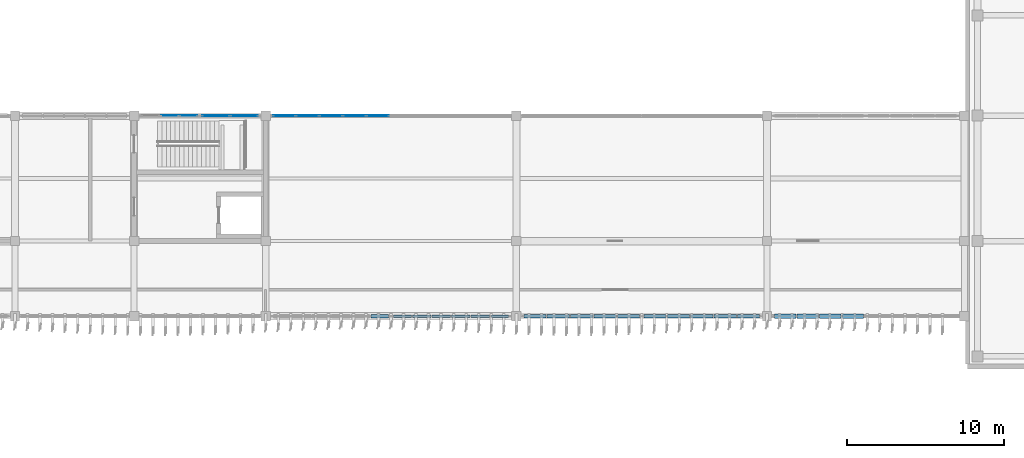
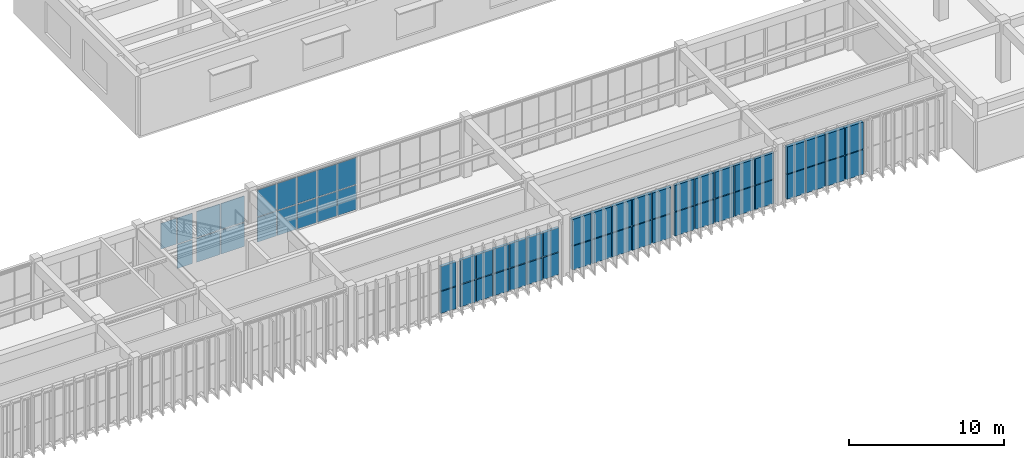
# One storey, part 32 of 64: 59 plates, 8 elements without a shape of their own.
"""IFC4 building model written with IfcOpenShell, lengths in metres."""

from ifc_helpers import new_model, si_unit, direction, frame, origin, origin_2d, place, context, subcontext, project, spatial, rectangle, extrude, material, layer, layer_set, type_object, element, aggregate, save


model = new_model("IFC4")

# Units and contexts
model_context = context("Model", 3, precision=1e-05, world=origin(), true_north=direction((0.0, 1.0)))
body_context = subcontext(model_context, "Body", "Model", "MODEL_VIEW")
ifc_project = project(units=[si_unit("LENGTHUNIT", "METRE"), si_unit("AREAUNIT", "SQUARE_METRE"), si_unit("VOLUMEUNIT", "CUBIC_METRE"), si_unit("PLANEANGLEUNIT", "RADIAN"), si_unit("MASSUNIT", "GRAM", prefix="KILO")], contexts=[model_context])

# Site, building, storey
site_placement = place(None, origin())
site = spatial("IfcSite", under=ifc_project, at=site_placement, CompositionType="ELEMENT")
building_placement = place(site_placement, origin())
building = spatial("IfcBuilding", under=site, at=building_placement, Name="Cinchona Park Media Centre", CompositionType="ELEMENT")
storey_placement = place(building_placement, frame((0.0, 0.0, 5.39990234375)))
storey = spatial("IfcBuildingStorey", under=building, at=storey_placement, Name="L01", CompositionType="ELEMENT", Elevation=5.39990234375)

# Curtain wall, plates
ifc_material_1 = material(Name="Aluminium Curtain Wall Framing", Category="aluminium")
ifc_layer_1 = layer(ifc_material_1, 0.2548828125)
ifc_layer_set_1 = layer_set([ifc_layer_1], Name="Aluminium Curtain Wall Framing")
curtain_wall_type_1 = type_object("IfcCurtainWallType", Name="CW-CW06", PredefinedType="USERDEFINED", material=ifc_layer_set_1)
curtain_wall_1_placement = place(storey_placement, origin())
curtain_wall_1 = element("IfcCurtainWall", 1, at=curtain_wall_1_placement, inside=storey, type_object=curtain_wall_type_1, Name="Curtain Wall CW06 L01", ObjectType="UNITISED CURTAIN WALL", PredefinedType="USERDEFINED")
ifc_material_2 = material(Name="Laminated Solar-Control Double Glazing", Category="glass")
ifc_layer_2 = layer(ifc_material_2, 0.030029296875)
ifc_layer_set_2 = layer_set([ifc_layer_2], Name="Laminated Solar-Control Double Glazing")
plate_type_1 = type_object("IfcPlateType", Name="CWPANEL-PNL02", PredefinedType="CURTAIN_PANEL", material=ifc_layer_set_2)
plate_1_placement = place(storey_placement, frame((88.669921875, 87.60009765625, 2.06884765625), z_axis=(0.0, 0.0, 1.0), x_axis=(1.0, 0.0, 0.0)))
plate_1 = element("IfcPlate", 2, at=plate_1_placement, type_object=plate_type_1, Name="CW06 panel 2.2", PredefinedType="CURTAIN_PANEL", context=body_context, shape_type="SweptSolid", body=[
    extrude(rectangle(XDim=1.158447265625, YDim=0.030029296875, at=origin_2d()), origin(), (0.0, 0.0, 1.0), 2.033447265625),
])
plate_2_placement = place(storey_placement, frame((89.884521484375, 87.60009765625, 0.125), z_axis=(0.0, 0.0, 1.0), x_axis=(1.0, 0.0, 0.0)))
plate_2 = element("IfcPlate", 3, at=plate_2_placement, type_object=plate_type_1, Name="CW06 panel 3.1", PredefinedType="CURTAIN_PANEL", context=body_context, shape_type="SweptSolid", body=[
    extrude(rectangle(XDim=1.120849609375, YDim=0.030029296875, at=origin_2d()), origin(), (0.0, 0.0, 1.0), 1.868408203125),
])
plate_3_placement = place(storey_placement, frame((89.884521484375, 87.60009765625, 2.06884765625), z_axis=(0.0, 0.0, 1.0), x_axis=(1.0, 0.0, 0.0)))
plate_3 = element("IfcPlate", 4, at=plate_3_placement, type_object=plate_type_1, Name="CW06 panel 3.2", PredefinedType="CURTAIN_PANEL", context=body_context, shape_type="SweptSolid", body=[
    extrude(rectangle(XDim=1.120849609375, YDim=0.030029296875, at=origin_2d()), origin(), (0.0, 0.0, 1.0), 2.033447265625),
])
aggregate(curtain_wall_1, [plate_1, plate_2, plate_3])

ifc_material_3 = material(Name="Aluminium Curtain Wall Framing", Category="aluminium")
ifc_layer_3 = layer(ifc_material_3, 0.27001953125)
ifc_layer_set_3 = layer_set([ifc_layer_3], Name="Aluminium Curtain Wall Framing")
curtain_wall_type_2 = type_object("IfcCurtainWallType", Name="CW-CW07", PredefinedType="USERDEFINED", material=ifc_layer_set_3)
curtain_wall_2_placement = place(storey_placement, origin())
curtain_wall_2 = element("IfcCurtainWall", 5, at=curtain_wall_2_placement, inside=storey, type_object=curtain_wall_type_2, Name="Curtain Wall CW07 L01", ObjectType="UNITISED CURTAIN WALL", PredefinedType="USERDEFINED")
ifc_material_4 = material(Name="Laminated Solar-Control Double Glazing", Category="glass")
ifc_layer_4 = layer(ifc_material_4, 0.050048828125)
ifc_layer_set_4 = layer_set([ifc_layer_4], Name="Laminated Solar-Control Double Glazing")
plate_type_2 = type_object("IfcPlateType", Name="CWPANEL-PNL04", PredefinedType="CURTAIN_PANEL", material=ifc_layer_set_4)
plate_4_placement = place(storey_placement, frame((91.623779296875, 87.60009765625, 0.125), z_axis=(0.0, 0.0, 1.0), x_axis=(1.0, 0.0, 0.0)))
plate_4 = element("IfcPlate", 6, at=plate_4_placement, type_object=plate_type_2, Name="CW07 panel 1.1", PredefinedType="CURTAIN_PANEL", context=body_context, shape_type="SweptSolid", body=[
    extrude(rectangle(XDim=1.737548828125, YDim=0.050048828125, at=origin_2d()), origin(), (0.0, 0.0, 1.0), 1.868408203125),
])
plate_5_placement = place(storey_placement, frame((91.623779296875, 87.60009765625, 2.06884765625), z_axis=(0.0, 0.0, 1.0), x_axis=(1.0, 0.0, 0.0)))
plate_5 = element("IfcPlate", 7, at=plate_5_placement, type_object=plate_type_2, Name="CW07 panel 1.2", PredefinedType="CURTAIN_PANEL", context=body_context, shape_type="SweptSolid", body=[
    extrude(rectangle(XDim=1.737548828125, YDim=0.050048828125, at=origin_2d()), origin(), (0.0, 0.0, 1.0), 2.033447265625),
])
plate_6_placement = place(storey_placement, frame((93.436279296875, 87.60009765625, 0.125), z_axis=(0.0, 0.0, 1.0), x_axis=(1.0, 0.0, 0.0)))
plate_6 = element("IfcPlate", 8, at=plate_6_placement, type_object=plate_type_2, Name="CW07 panel 2.1", PredefinedType="CURTAIN_PANEL", context=body_context, shape_type="SweptSolid", body=[
    extrude(rectangle(XDim=1.737548828125, YDim=0.050048828125, at=origin_2d()), origin(), (0.0, 0.0, 1.0), 1.868408203125),
])
plate_7_placement = place(storey_placement, frame((93.436279296875, 87.60009765625, 2.06884765625), z_axis=(0.0, 0.0, 1.0), x_axis=(1.0, 0.0, 0.0)))
plate_7 = element("IfcPlate", 9, at=plate_7_placement, type_object=plate_type_2, Name="CW07 panel 2.2", PredefinedType="CURTAIN_PANEL", context=body_context, shape_type="SweptSolid", body=[
    extrude(rectangle(XDim=1.737548828125, YDim=0.050048828125, at=origin_2d()), origin(), (0.0, 0.0, 1.0), 2.033447265625),
])
aggregate(curtain_wall_2, [plate_4, plate_5, plate_6, plate_7])

ifc_material_5 = material(Name="Aluminium Curtain Wall Framing", Category="aluminium")
ifc_layer_5 = layer(ifc_material_5, 0.284912109375)
ifc_layer_set_5 = layer_set([ifc_layer_5], Name="Aluminium Curtain Wall Framing")
curtain_wall_type_3 = type_object("IfcCurtainWallType", Name="CW-CW08", PredefinedType="USERDEFINED", material=ifc_layer_set_5)
curtain_wall_3_placement = place(storey_placement, origin())
curtain_wall_3 = element("IfcCurtainWall", 10, at=curtain_wall_3_placement, inside=storey, type_object=curtain_wall_type_3, Name="Curtain Wall CW08 L01", ObjectType="UNITISED CURTAIN WALL", PredefinedType="USERDEFINED")
ifc_material_6 = material(Name="Laminated Solar-Control Double Glazing", Category="glass")
ifc_layer_6 = layer(ifc_material_6, 0.06005859375)
ifc_layer_set_6 = layer_set([ifc_layer_6], Name="Laminated Solar-Control Double Glazing")
plate_type_3 = type_object("IfcPlateType", Name="CWPANEL-PNL05", PredefinedType="CURTAIN_PANEL", material=ifc_layer_set_6)
plate_8_placement = place(storey_placement, frame((95.987548828125, 87.60009765625, 0.1201171875), z_axis=(0.0, 0.0, 1.0), x_axis=(1.0, 0.0, 0.0)))
plate_8 = element("IfcPlate", 11, at=plate_8_placement, type_object=plate_type_3, Name="CW08 panel 1.1", PredefinedType="CURTAIN_PANEL", context=body_context, shape_type="SweptSolid", body=[
    extrude(rectangle(XDim=1.39501953125, YDim=0.06005859375, at=origin_2d()), origin(), (0.0, 0.0, 1.0), 1.928955078125),
])
plate_9_placement = place(storey_placement, frame((95.987548828125, 87.60009765625, 2.119140625), z_axis=(0.0, 0.0, 1.0), x_axis=(1.0, 0.0, 0.0)))
plate_9 = element("IfcPlate", 12, at=plate_9_placement, type_object=plate_type_3, Name="CW08 panel 1.2", PredefinedType="CURTAIN_PANEL", context=body_context, shape_type="SweptSolid", body=[
    extrude(rectangle(XDim=1.39501953125, YDim=0.06005859375, at=origin_2d()), origin(), (0.0, 0.0, 1.0), 2.09912109375),
])
plate_10_placement = place(storey_placement, frame((97.469970703125, 87.60009765625, 0.1201171875), z_axis=(0.0, 0.0, 1.0), x_axis=(1.0, 0.0, 0.0)))
plate_10 = element("IfcPlate", 13, at=plate_10_placement, type_object=plate_type_3, Name="CW08 panel 2.1", PredefinedType="CURTAIN_PANEL", context=body_context, shape_type="SweptSolid", body=[
    extrude(rectangle(XDim=1.429931640625, YDim=0.06005859375, at=origin_2d()), origin(), (0.0, 0.0, 1.0), 1.928955078125),
])
plate_11_placement = place(storey_placement, frame((97.469970703125, 87.60009765625, 2.119140625), z_axis=(0.0, 0.0, 1.0), x_axis=(1.0, 0.0, 0.0)))
plate_11 = element("IfcPlate", 14, at=plate_11_placement, type_object=plate_type_3, Name="CW08 panel 2.2", PredefinedType="CURTAIN_PANEL", context=body_context, shape_type="SweptSolid", body=[
    extrude(rectangle(XDim=1.429931640625, YDim=0.06005859375, at=origin_2d()), origin(), (0.0, 0.0, 1.0), 2.09912109375),
])
plate_12_placement = place(storey_placement, frame((98.969970703125, 87.60009765625, 0.1201171875), z_axis=(0.0, 0.0, 1.0), x_axis=(1.0, 0.0, 0.0)))
plate_12 = element("IfcPlate", 15, at=plate_12_placement, type_object=plate_type_3, Name="CW08 panel 3.1", PredefinedType="CURTAIN_PANEL", context=body_context, shape_type="SweptSolid", body=[
    extrude(rectangle(XDim=1.429931640625, YDim=0.06005859375, at=origin_2d()), origin(), (0.0, 0.0, 1.0), 1.928955078125),
])
plate_13_placement = place(storey_placement, frame((98.969970703125, 87.60009765625, 2.119140625), z_axis=(0.0, 0.0, 1.0), x_axis=(1.0, 0.0, 0.0)))
plate_13 = element("IfcPlate", 16, at=plate_13_placement, type_object=plate_type_3, Name="CW08 panel 3.2", PredefinedType="CURTAIN_PANEL", context=body_context, shape_type="SweptSolid", body=[
    extrude(rectangle(XDim=1.429931640625, YDim=0.06005859375, at=origin_2d()), origin(), (0.0, 0.0, 1.0), 2.09912109375),
])
plate_14_placement = place(storey_placement, frame((100.469970703125, 87.60009765625, 0.1201171875), z_axis=(0.0, 0.0, 1.0), x_axis=(1.0, 0.0, 0.0)))
plate_14 = element("IfcPlate", 17, at=plate_14_placement, type_object=plate_type_3, Name="CW08 panel 4.1", PredefinedType="CURTAIN_PANEL", context=body_context, shape_type="SweptSolid", body=[
    extrude(rectangle(XDim=1.429931640625, YDim=0.06005859375, at=origin_2d()), origin(), (0.0, 0.0, 1.0), 1.928955078125),
])
plate_15_placement = place(storey_placement, frame((100.469970703125, 87.60009765625, 2.119140625), z_axis=(0.0, 0.0, 1.0), x_axis=(1.0, 0.0, 0.0)))
plate_15 = element("IfcPlate", 18, at=plate_15_placement, type_object=plate_type_3, Name="CW08 panel 4.2", PredefinedType="CURTAIN_PANEL", context=body_context, shape_type="SweptSolid", body=[
    extrude(rectangle(XDim=1.429931640625, YDim=0.06005859375, at=origin_2d()), origin(), (0.0, 0.0, 1.0), 2.09912109375),
])
plate_16_placement = place(storey_placement, frame((101.952392578125, 87.60009765625, 0.1201171875), z_axis=(0.0, 0.0, 1.0), x_axis=(1.0, 0.0, 0.0)))
plate_16 = element("IfcPlate", 19, at=plate_16_placement, type_object=plate_type_3, Name="CW08 panel 5.1", PredefinedType="CURTAIN_PANEL", context=body_context, shape_type="SweptSolid", body=[
    extrude(rectangle(XDim=1.39501953125, YDim=0.06005859375, at=origin_2d()), origin(), (0.0, 0.0, 1.0), 1.928955078125),
])
plate_17_placement = place(storey_placement, frame((101.952392578125, 87.60009765625, 2.119140625), z_axis=(0.0, 0.0, 1.0), x_axis=(1.0, 0.0, 0.0)))
plate_17 = element("IfcPlate", 20, at=plate_17_placement, type_object=plate_type_3, Name="CW08 panel 5.2", PredefinedType="CURTAIN_PANEL", context=body_context, shape_type="SweptSolid", body=[
    extrude(rectangle(XDim=1.39501953125, YDim=0.06005859375, at=origin_2d()), origin(), (0.0, 0.0, 1.0), 2.09912109375),
])
aggregate(curtain_wall_3, [plate_8, plate_9, plate_10, plate_11, plate_12, plate_13, plate_14, plate_15, plate_16, plate_17])

ifc_material_7 = material(Name="Aluminium Curtain Wall Framing", Category="aluminium")
ifc_layer_7 = layer(ifc_material_7, 0.2099609375)
ifc_layer_set_7 = layer_set([ifc_layer_7], Name="Aluminium Curtain Wall Framing")
curtain_wall_type_4 = type_object("IfcCurtainWallType", Name="CW-CW03", PredefinedType="USERDEFINED", material=ifc_layer_set_7)
curtain_wall_4_placement = place(storey_placement, origin())
curtain_wall_4 = element("IfcCurtainWall", 21, at=curtain_wall_4_placement, inside=storey, type_object=curtain_wall_type_4, Name="Curtain Wall CW03 L01", ObjectType="UNITISED CURTAIN WALL", PredefinedType="USERDEFINED")
ifc_material_8 = material(Name="Insulated Acoustic Aluminium-Glass Spandrel Cassette", Category="aluminium")
ifc_layer_8 = layer(ifc_material_8, 0.18994140625)
ifc_layer_set_8 = layer_set([ifc_layer_8], Name="Insulated Acoustic Aluminium-Glass Spandrel Cassette")
plate_type_4 = type_object("IfcPlateType", Name="CWPANEL-PNL18", PredefinedType="CURTAIN_PANEL", material=ifc_layer_set_8)
plate_18_placement = place(storey_placement, frame((109.736328125, 74.800048828125, 0.125), z_axis=(0.0, 0.0, 1.0), x_axis=(-1.0, 0.0, 0.0)))
plate_18 = element("IfcPlate", 22, at=plate_18_placement, type_object=plate_type_4, Name="CW03 panel 1.1", PredefinedType="CURTAIN_PANEL", context=body_context, shape_type="SweptSolid", body=[
    extrude(rectangle(XDim=1.137451171875, YDim=0.18994140625, at=origin_2d()), origin(), (0.0, 0.0, 1.0), 1.73046875),
])
plate_19_placement = place(storey_placement, frame((109.736328125, 74.800048828125, 1.9306640625), z_axis=(0.0, 0.0, 1.0), x_axis=(-1.0, 0.0, 0.0)))
plate_19 = element("IfcPlate", 23, at=plate_19_placement, type_object=plate_type_4, Name="CW03 panel 1.2", PredefinedType="CURTAIN_PANEL", context=body_context, shape_type="SweptSolid", body=[
    extrude(rectangle(XDim=1.137451171875, YDim=0.18994140625, at=origin_2d()), origin(), (0.0, 0.0, 1.0), 1.884521484375),
])
plate_20_placement = place(storey_placement, frame((108.5048828125, 74.800048828125, 0.125), z_axis=(0.0, 0.0, 1.0), x_axis=(-1.0, 0.0, 0.0)))
plate_20 = element("IfcPlate", 24, at=plate_20_placement, type_object=plate_type_4, Name="CW03 panel 2.1", PredefinedType="CURTAIN_PANEL", context=body_context, shape_type="SweptSolid", body=[
    extrude(rectangle(XDim=1.175048828125, YDim=0.18994140625, at=origin_2d()), origin(), (0.0, 0.0, 1.0), 1.73046875),
])
plate_21_placement = place(storey_placement, frame((108.5048828125, 74.800048828125, 1.9306640625), z_axis=(0.0, 0.0, 1.0), x_axis=(-1.0, 0.0, 0.0)))
plate_21 = element("IfcPlate", 25, at=plate_21_placement, type_object=plate_type_4, Name="CW03 panel 2.2", PredefinedType="CURTAIN_PANEL", context=body_context, shape_type="SweptSolid", body=[
    extrude(rectangle(XDim=1.175048828125, YDim=0.18994140625, at=origin_2d()), origin(), (0.0, 0.0, 1.0), 1.884521484375),
])
plate_22_placement = place(storey_placement, frame((107.2548828125, 74.800048828125, 0.125), z_axis=(0.0, 0.0, 1.0), x_axis=(-1.0, 0.0, 0.0)))
plate_22 = element("IfcPlate", 26, at=plate_22_placement, type_object=plate_type_4, Name="CW03 panel 3.1", PredefinedType="CURTAIN_PANEL", context=body_context, shape_type="SweptSolid", body=[
    extrude(rectangle(XDim=1.175048828125, YDim=0.18994140625, at=origin_2d()), origin(), (0.0, 0.0, 1.0), 1.73046875),
])
plate_23_placement = place(storey_placement, frame((107.2548828125, 74.800048828125, 1.9306640625), z_axis=(0.0, 0.0, 1.0), x_axis=(-1.0, 0.0, 0.0)))
plate_23 = element("IfcPlate", 27, at=plate_23_placement, type_object=plate_type_4, Name="CW03 panel 3.2", PredefinedType="CURTAIN_PANEL", context=body_context, shape_type="SweptSolid", body=[
    extrude(rectangle(XDim=1.175048828125, YDim=0.18994140625, at=origin_2d()), origin(), (0.0, 0.0, 1.0), 1.884521484375),
])
plate_24_placement = place(storey_placement, frame((106.0048828125, 74.800048828125, 0.125), z_axis=(0.0, 0.0, 1.0), x_axis=(-1.0, 0.0, 0.0)))
plate_24 = element("IfcPlate", 28, at=plate_24_placement, type_object=plate_type_4, Name="CW03 panel 4.1", PredefinedType="CURTAIN_PANEL", context=body_context, shape_type="SweptSolid", body=[
    extrude(rectangle(XDim=1.175048828125, YDim=0.18994140625, at=origin_2d()), origin(), (0.0, 0.0, 1.0), 1.73046875),
])
plate_25_placement = place(storey_placement, frame((106.0048828125, 74.800048828125, 1.9306640625), z_axis=(0.0, 0.0, 1.0), x_axis=(-1.0, 0.0, 0.0)))
plate_25 = element("IfcPlate", 29, at=plate_25_placement, type_object=plate_type_4, Name="CW03 panel 4.2", PredefinedType="CURTAIN_PANEL", context=body_context, shape_type="SweptSolid", body=[
    extrude(rectangle(XDim=1.175048828125, YDim=0.18994140625, at=origin_2d()), origin(), (0.0, 0.0, 1.0), 1.884521484375),
])
plate_26_placement = place(storey_placement, frame((104.7548828125, 74.800048828125, 0.125), z_axis=(0.0, 0.0, 1.0), x_axis=(-1.0, 0.0, 0.0)))
plate_26 = element("IfcPlate", 30, at=plate_26_placement, type_object=plate_type_4, Name="CW03 panel 5.1", PredefinedType="CURTAIN_PANEL", context=body_context, shape_type="SweptSolid", body=[
    extrude(rectangle(XDim=1.175048828125, YDim=0.18994140625, at=origin_2d()), origin(), (0.0, 0.0, 1.0), 1.73046875),
])
plate_27_placement = place(storey_placement, frame((104.7548828125, 74.800048828125, 1.9306640625), z_axis=(0.0, 0.0, 1.0), x_axis=(-1.0, 0.0, 0.0)))
plate_27 = element("IfcPlate", 31, at=plate_27_placement, type_object=plate_type_4, Name="CW03 panel 5.2", PredefinedType="CURTAIN_PANEL", context=body_context, shape_type="SweptSolid", body=[
    extrude(rectangle(XDim=1.175048828125, YDim=0.18994140625, at=origin_2d()), origin(), (0.0, 0.0, 1.0), 1.884521484375),
])
plate_28_placement = place(storey_placement, frame((103.523681640625, 74.800048828125, 0.125), z_axis=(0.0, 0.0, 1.0), x_axis=(-1.0, 0.0, 0.0)))
plate_28 = element("IfcPlate", 32, at=plate_28_placement, type_object=plate_type_4, Name="CW03 panel 6.1", PredefinedType="CURTAIN_PANEL", context=body_context, shape_type="SweptSolid", body=[
    extrude(rectangle(XDim=1.137451171875, YDim=0.18994140625, at=origin_2d()), origin(), (0.0, 0.0, 1.0), 1.73046875),
])
plate_29_placement = place(storey_placement, frame((103.523681640625, 74.800048828125, 1.9306640625), z_axis=(0.0, 0.0, 1.0), x_axis=(-1.0, 0.0, 0.0)))
plate_29 = element("IfcPlate", 33, at=plate_29_placement, type_object=plate_type_4, Name="CW03 panel 6.2", PredefinedType="CURTAIN_PANEL", context=body_context, shape_type="SweptSolid", body=[
    extrude(rectangle(XDim=1.137451171875, YDim=0.18994140625, at=origin_2d()), origin(), (0.0, 0.0, 1.0), 1.884521484375),
])
aggregate(curtain_wall_4, [plate_18, plate_19, plate_20, plate_21, plate_22, plate_23, plate_24, plate_25, plate_26, plate_27, plate_28, plate_29])

ifc_material_9 = material(Name="Aluminium Curtain Wall Framing", Category="aluminium")
ifc_layer_9 = layer(ifc_material_9, 0.22509765625)
ifc_layer_set_9 = layer_set([ifc_layer_9], Name="Aluminium Curtain Wall Framing")
curtain_wall_type_5 = type_object("IfcCurtainWallType", Name="CW-CW04", PredefinedType="USERDEFINED", material=ifc_layer_set_9)
curtain_wall_5_placement = place(storey_placement, origin())
curtain_wall_5 = element("IfcCurtainWall", 34, at=curtain_wall_5_placement, inside=storey, type_object=curtain_wall_type_5, Name="Curtain Wall CW04 L01", ObjectType="UNITISED CURTAIN WALL", PredefinedType="USERDEFINED")
ifc_material_10 = material(Name="Insulated Acoustic Aluminium-Glass Spandrel Cassette", Category="aluminium")
ifc_layer_10 = layer(ifc_material_10, 0.2099609375)
ifc_layer_set_10 = layer_set([ifc_layer_10], Name="Insulated Acoustic Aluminium-Glass Spandrel Cassette")
plate_type_5 = type_object("IfcPlateType", Name="CWPANEL-PNL20", PredefinedType="CURTAIN_PANEL", material=ifc_layer_set_10)
plate_30_placement = place(storey_placement, frame((102.076171875, 74.800048828125, 0.125), z_axis=(0.0, 0.0, 1.0), x_axis=(-1.0, 0.0, 0.0)))
plate_30 = element("IfcPlate", 35, at=plate_30_placement, type_object=plate_type_5, Name="CW04 panel 1.1", PredefinedType="CURTAIN_PANEL", context=body_context, shape_type="SweptSolid", body=[
    extrude(rectangle(XDim=1.137451171875, YDim=0.2099609375, at=origin_2d()), origin(), (0.0, 0.0, 1.0), 1.73046875),
])
plate_31_placement = place(storey_placement, frame((102.076171875, 74.800048828125, 1.9306640625), z_axis=(0.0, 0.0, 1.0), x_axis=(-1.0, 0.0, 0.0)))
plate_31 = element("IfcPlate", 36, at=plate_31_placement, type_object=plate_type_5, Name="CW04 panel 1.2", PredefinedType="CURTAIN_PANEL", context=body_context, shape_type="SweptSolid", body=[
    extrude(rectangle(XDim=1.137451171875, YDim=0.2099609375, at=origin_2d()), origin(), (0.0, 0.0, 1.0), 1.884521484375),
])
aggregate(curtain_wall_5, [plate_30, plate_31])

ifc_material_11 = material(Name="Aluminium Curtain Wall Framing", Category="aluminium")
ifc_layer_11 = layer(ifc_material_11, 0.239990234375)
ifc_layer_set_11 = layer_set([ifc_layer_11], Name="Aluminium Curtain Wall Framing")
curtain_wall_type_6 = type_object("IfcCurtainWallType", Name="CW-CW05", PredefinedType="USERDEFINED", material=ifc_layer_set_11)
curtain_wall_6_placement = place(storey_placement, origin())
curtain_wall_6 = element("IfcCurtainWall", 37, at=curtain_wall_6_placement, inside=storey, type_object=curtain_wall_type_6, Name="Curtain Wall CW05 L01", ObjectType="UNITISED CURTAIN WALL", PredefinedType="USERDEFINED")
ifc_material_12 = material(Name="Insulated Acoustic Aluminium-Glass Spandrel Cassette", Category="aluminium")
ifc_layer_12 = layer(ifc_material_12, 0.219970703125)
ifc_layer_set_12 = layer_set([ifc_layer_12], Name="Insulated Acoustic Aluminium-Glass Spandrel Cassette")
plate_type_6 = type_object("IfcPlateType", Name="CWPANEL-PNL21", PredefinedType="CURTAIN_PANEL", material=ifc_layer_set_12)
plate_32_placement = place(storey_placement, frame((125.612548828125, 74.800048828125, 0.1201171875), z_axis=(0.0, 0.0, 1.0), x_axis=(-1.0, 0.0, 0.0)))
plate_32 = element("IfcPlate", 38, at=plate_32_placement, type_object=plate_type_6, Name="CW05 panel 1.1", PredefinedType="CURTAIN_PANEL", context=body_context, shape_type="SweptSolid", body=[
    extrude(rectangle(XDim=1.39501953125, YDim=0.219970703125, at=origin_2d()), origin(), (0.0, 0.0, 1.0), 1.8759765625),
])
plate_33_placement = place(storey_placement, frame((125.612548828125, 74.800048828125, 2.066162109375), z_axis=(0.0, 0.0, 1.0), x_axis=(-1.0, 0.0, 0.0)))
plate_33 = element("IfcPlate", 39, at=plate_33_placement, type_object=plate_type_6, Name="CW05 panel 1.2", PredefinedType="CURTAIN_PANEL", context=body_context, shape_type="SweptSolid", body=[
    extrude(rectangle(XDim=1.39501953125, YDim=0.219970703125, at=origin_2d()), origin(), (0.0, 0.0, 1.0), 2.041015625),
])
plate_34_placement = place(storey_placement, frame((124.1298828125, 74.800048828125, 0.1201171875), z_axis=(0.0, 0.0, 1.0), x_axis=(-1.0, 0.0, 0.0)))
plate_34 = element("IfcPlate", 40, at=plate_34_placement, type_object=plate_type_6, Name="CW05 panel 2.1", PredefinedType="CURTAIN_PANEL", context=body_context, shape_type="SweptSolid", body=[
    extrude(rectangle(XDim=1.429931640625, YDim=0.219970703125, at=origin_2d()), origin(), (0.0, 0.0, 1.0), 1.8759765625),
])
plate_35_placement = place(storey_placement, frame((124.1298828125, 74.800048828125, 2.066162109375), z_axis=(0.0, 0.0, 1.0), x_axis=(-1.0, 0.0, 0.0)))
plate_35 = element("IfcPlate", 41, at=plate_35_placement, type_object=plate_type_6, Name="CW05 panel 2.2", PredefinedType="CURTAIN_PANEL", context=body_context, shape_type="SweptSolid", body=[
    extrude(rectangle(XDim=1.429931640625, YDim=0.219970703125, at=origin_2d()), origin(), (0.0, 0.0, 1.0), 2.041015625),
])
plate_36_placement = place(storey_placement, frame((122.6298828125, 74.800048828125, 0.1201171875), z_axis=(0.0, 0.0, 1.0), x_axis=(-1.0, 0.0, 0.0)))
plate_36 = element("IfcPlate", 42, at=plate_36_placement, type_object=plate_type_6, Name="CW05 panel 3.1", PredefinedType="CURTAIN_PANEL", context=body_context, shape_type="SweptSolid", body=[
    extrude(rectangle(XDim=1.429931640625, YDim=0.219970703125, at=origin_2d()), origin(), (0.0, 0.0, 1.0), 1.8759765625),
])
plate_37_placement = place(storey_placement, frame((122.6298828125, 74.800048828125, 2.066162109375), z_axis=(0.0, 0.0, 1.0), x_axis=(-1.0, 0.0, 0.0)))
plate_37 = element("IfcPlate", 43, at=plate_37_placement, type_object=plate_type_6, Name="CW05 panel 3.2", PredefinedType="CURTAIN_PANEL", context=body_context, shape_type="SweptSolid", body=[
    extrude(rectangle(XDim=1.429931640625, YDim=0.219970703125, at=origin_2d()), origin(), (0.0, 0.0, 1.0), 2.041015625),
])
plate_38_placement = place(storey_placement, frame((121.1298828125, 74.800048828125, 0.1201171875), z_axis=(0.0, 0.0, 1.0), x_axis=(-1.0, 0.0, 0.0)))
plate_38 = element("IfcPlate", 44, at=plate_38_placement, type_object=plate_type_6, Name="CW05 panel 4.1", PredefinedType="CURTAIN_PANEL", context=body_context, shape_type="SweptSolid", body=[
    extrude(rectangle(XDim=1.429931640625, YDim=0.219970703125, at=origin_2d()), origin(), (0.0, 0.0, 1.0), 1.8759765625),
])
plate_39_placement = place(storey_placement, frame((121.1298828125, 74.800048828125, 2.066162109375), z_axis=(0.0, 0.0, 1.0), x_axis=(-1.0, 0.0, 0.0)))
plate_39 = element("IfcPlate", 45, at=plate_39_placement, type_object=plate_type_6, Name="CW05 panel 4.2", PredefinedType="CURTAIN_PANEL", context=body_context, shape_type="SweptSolid", body=[
    extrude(rectangle(XDim=1.429931640625, YDim=0.219970703125, at=origin_2d()), origin(), (0.0, 0.0, 1.0), 2.041015625),
])
plate_40_placement = place(storey_placement, frame((119.6474609375, 74.800048828125, 0.1201171875), z_axis=(0.0, 0.0, 1.0), x_axis=(-1.0, 0.0, 0.0)))
plate_40 = element("IfcPlate", 46, at=plate_40_placement, type_object=plate_type_6, Name="CW05 panel 5.1", PredefinedType="CURTAIN_PANEL", context=body_context, shape_type="SweptSolid", body=[
    extrude(rectangle(XDim=1.39501953125, YDim=0.219970703125, at=origin_2d()), origin(), (0.0, 0.0, 1.0), 1.8759765625),
])
plate_41_placement = place(storey_placement, frame((119.6474609375, 74.800048828125, 2.066162109375), z_axis=(0.0, 0.0, 1.0), x_axis=(-1.0, 0.0, 0.0)))
plate_41 = element("IfcPlate", 47, at=plate_41_placement, type_object=plate_type_6, Name="CW05 panel 5.2", PredefinedType="CURTAIN_PANEL", context=body_context, shape_type="SweptSolid", body=[
    extrude(rectangle(XDim=1.39501953125, YDim=0.219970703125, at=origin_2d()), origin(), (0.0, 0.0, 1.0), 2.041015625),
])
aggregate(curtain_wall_6, [plate_32, plate_33, plate_34, plate_35, plate_36, plate_37, plate_38, plate_39, plate_40, plate_41])

curtain_wall_7_placement = place(storey_placement, origin())
curtain_wall_7 = element("IfcCurtainWall", 48, at=curtain_wall_7_placement, inside=storey, type_object=curtain_wall_type_1, Name="Curtain Wall CW06 L01", ObjectType="UNITISED CURTAIN WALL", PredefinedType="USERDEFINED")
ifc_material_13 = material(Name="Insulated Acoustic Aluminium-Glass Spandrel Cassette", Category="aluminium")
ifc_layer_13 = layer(ifc_material_13, 0.239990234375)
ifc_layer_set_13 = layer_set([ifc_layer_13], Name="Insulated Acoustic Aluminium-Glass Spandrel Cassette")
plate_type_7 = type_object("IfcPlateType", Name="CWPANEL-PNL23", PredefinedType="CURTAIN_PANEL", material=ifc_layer_set_13)
plate_42_placement = place(storey_placement, frame((117.952392578125, 74.800048828125, 0.1201171875), z_axis=(0.0, 0.0, 1.0), x_axis=(-1.0, 0.0, 0.0)))
plate_42 = element("IfcPlate", 49, at=plate_42_placement, type_object=plate_type_7, Name="CW06 panel 1.1", PredefinedType="CURTAIN_PANEL", context=body_context, shape_type="SweptSolid", body=[
    extrude(rectangle(XDim=1.39501953125, YDim=0.239990234375, at=origin_2d()), origin(), (0.0, 0.0, 1.0), 1.8759765625),
])
plate_43_placement = place(storey_placement, frame((117.952392578125, 74.800048828125, 2.066162109375), z_axis=(0.0, 0.0, 1.0), x_axis=(-1.0, 0.0, 0.0)))
plate_43 = element("IfcPlate", 50, at=plate_43_placement, type_object=plate_type_7, Name="CW06 panel 1.2", PredefinedType="CURTAIN_PANEL", context=body_context, shape_type="SweptSolid", body=[
    extrude(rectangle(XDim=1.39501953125, YDim=0.239990234375, at=origin_2d()), origin(), (0.0, 0.0, 1.0), 2.041015625),
])
plate_44_placement = place(storey_placement, frame((116.469970703125, 74.800048828125, 0.1201171875), z_axis=(0.0, 0.0, 1.0), x_axis=(-1.0, 0.0, 0.0)))
plate_44 = element("IfcPlate", 51, at=plate_44_placement, type_object=plate_type_7, Name="CW06 panel 2.1", PredefinedType="CURTAIN_PANEL", context=body_context, shape_type="SweptSolid", body=[
    extrude(rectangle(XDim=1.429931640625, YDim=0.239990234375, at=origin_2d()), origin(), (0.0, 0.0, 1.0), 1.8759765625),
])
plate_45_placement = place(storey_placement, frame((116.469970703125, 74.800048828125, 2.066162109375), z_axis=(0.0, 0.0, 1.0), x_axis=(-1.0, 0.0, 0.0)))
plate_45 = element("IfcPlate", 52, at=plate_45_placement, type_object=plate_type_7, Name="CW06 panel 2.2", PredefinedType="CURTAIN_PANEL", context=body_context, shape_type="SweptSolid", body=[
    extrude(rectangle(XDim=1.429931640625, YDim=0.239990234375, at=origin_2d()), origin(), (0.0, 0.0, 1.0), 2.041015625),
])
plate_46_placement = place(storey_placement, frame((114.969970703125, 74.800048828125, 0.1201171875), z_axis=(0.0, 0.0, 1.0), x_axis=(-1.0, 0.0, 0.0)))
plate_46 = element("IfcPlate", 53, at=plate_46_placement, type_object=plate_type_7, Name="CW06 panel 3.1", PredefinedType="CURTAIN_PANEL", context=body_context, shape_type="SweptSolid", body=[
    extrude(rectangle(XDim=1.429931640625, YDim=0.239990234375, at=origin_2d()), origin(), (0.0, 0.0, 1.0), 1.8759765625),
])
plate_47_placement = place(storey_placement, frame((114.969970703125, 74.800048828125, 2.066162109375), z_axis=(0.0, 0.0, 1.0), x_axis=(-1.0, 0.0, 0.0)))
plate_47 = element("IfcPlate", 54, at=plate_47_placement, type_object=plate_type_7, Name="CW06 panel 3.2", PredefinedType="CURTAIN_PANEL", context=body_context, shape_type="SweptSolid", body=[
    extrude(rectangle(XDim=1.429931640625, YDim=0.239990234375, at=origin_2d()), origin(), (0.0, 0.0, 1.0), 2.041015625),
])
plate_48_placement = place(storey_placement, frame((113.469970703125, 74.800048828125, 0.1201171875), z_axis=(0.0, 0.0, 1.0), x_axis=(-1.0, 0.0, 0.0)))
plate_48 = element("IfcPlate", 55, at=plate_48_placement, type_object=plate_type_7, Name="CW06 panel 4.1", PredefinedType="CURTAIN_PANEL", context=body_context, shape_type="SweptSolid", body=[
    extrude(rectangle(XDim=1.429931640625, YDim=0.239990234375, at=origin_2d()), origin(), (0.0, 0.0, 1.0), 1.8759765625),
])
plate_49_placement = place(storey_placement, frame((113.469970703125, 74.800048828125, 2.066162109375), z_axis=(0.0, 0.0, 1.0), x_axis=(-1.0, 0.0, 0.0)))
plate_49 = element("IfcPlate", 56, at=plate_49_placement, type_object=plate_type_7, Name="CW06 panel 4.2", PredefinedType="CURTAIN_PANEL", context=body_context, shape_type="SweptSolid", body=[
    extrude(rectangle(XDim=1.429931640625, YDim=0.239990234375, at=origin_2d()), origin(), (0.0, 0.0, 1.0), 2.041015625),
])
plate_50_placement = place(storey_placement, frame((111.987548828125, 74.800048828125, 0.1201171875), z_axis=(0.0, 0.0, 1.0), x_axis=(-1.0, 0.0, 0.0)))
plate_50 = element("IfcPlate", 57, at=plate_50_placement, type_object=plate_type_7, Name="CW06 panel 5.1", PredefinedType="CURTAIN_PANEL", context=body_context, shape_type="SweptSolid", body=[
    extrude(rectangle(XDim=1.39501953125, YDim=0.239990234375, at=origin_2d()), origin(), (0.0, 0.0, 1.0), 1.8759765625),
])
plate_51_placement = place(storey_placement, frame((111.987548828125, 74.800048828125, 2.066162109375), z_axis=(0.0, 0.0, 1.0), x_axis=(-1.0, 0.0, 0.0)))
plate_51 = element("IfcPlate", 58, at=plate_51_placement, type_object=plate_type_7, Name="CW06 panel 5.2", PredefinedType="CURTAIN_PANEL", context=body_context, shape_type="SweptSolid", body=[
    extrude(rectangle(XDim=1.39501953125, YDim=0.239990234375, at=origin_2d()), origin(), (0.0, 0.0, 1.0), 2.041015625),
])
aggregate(curtain_wall_7, [plate_42, plate_43, plate_44, plate_45, plate_46, plate_47, plate_48, plate_49, plate_50, plate_51])

curtain_wall_8_placement = place(storey_placement, origin())
curtain_wall_8 = element("IfcCurtainWall", 59, at=curtain_wall_8_placement, inside=storey, type_object=curtain_wall_type_3, Name="Curtain Wall CW08 L01", ObjectType="UNITISED CURTAIN WALL", PredefinedType="USERDEFINED")
ifc_material_14 = material(Name="Insulated Acoustic Aluminium-Glass Spandrel Cassette", Category="aluminium")
ifc_layer_14 = layer(ifc_material_14, 0.27001953125)
ifc_layer_set_14 = layer_set([ifc_layer_14], Name="Insulated Acoustic Aluminium-Glass Spandrel Cassette")
plate_type_8 = type_object("IfcPlateType", Name="CWPANEL-PNL26", PredefinedType="CURTAIN_PANEL", material=ifc_layer_set_14)
plate_52_placement = place(storey_placement, frame((132.27880859375, 74.800048828125, 0.114990234375), z_axis=(0.0, 0.0, 1.0), x_axis=(-1.0, 0.0, 0.0)))
plate_52 = element("IfcPlate", 60, at=plate_52_placement, type_object=plate_type_8, Name="CW08 panel 1.1", PredefinedType="CURTAIN_PANEL", context=body_context, shape_type="SweptSolid", body=[
    extrude(rectangle(XDim=1.3525390625, YDim=0.27001953125, at=origin_2d()), origin(), (0.0, 0.0, 1.0), 1.9365234375),
])
plate_53_placement = place(storey_placement, frame((132.27880859375, 74.800048828125, 2.11669921875), z_axis=(0.0, 0.0, 1.0), x_axis=(-1.0, 0.0, 0.0)))
plate_53 = element("IfcPlate", 61, at=plate_53_placement, type_object=plate_type_8, Name="CW08 panel 1.2", PredefinedType="CURTAIN_PANEL", context=body_context, shape_type="SweptSolid", body=[
    extrude(rectangle(XDim=1.3525390625, YDim=0.27001953125, at=origin_2d()), origin(), (0.0, 0.0, 1.0), 2.1064453125),
])
plate_54_placement = place(storey_placement, frame((130.844970703125, 74.800048828125, 0.114990234375), z_axis=(0.0, 0.0, 1.0), x_axis=(-1.0, 0.0, 0.0)))
plate_54 = element("IfcPlate", 62, at=plate_54_placement, type_object=plate_type_8, Name="CW08 panel 2.1", PredefinedType="CURTAIN_PANEL", context=body_context, shape_type="SweptSolid", body=[
    extrude(rectangle(XDim=1.385009765625, YDim=0.27001953125, at=origin_2d()), origin(), (0.0, 0.0, 1.0), 1.9365234375),
])
plate_55_placement = place(storey_placement, frame((130.844970703125, 74.800048828125, 2.11669921875), z_axis=(0.0, 0.0, 1.0), x_axis=(-1.0, 0.0, 0.0)))
plate_55 = element("IfcPlate", 63, at=plate_55_placement, type_object=plate_type_8, Name="CW08 panel 2.2", PredefinedType="CURTAIN_PANEL", context=body_context, shape_type="SweptSolid", body=[
    extrude(rectangle(XDim=1.385009765625, YDim=0.27001953125, at=origin_2d()), origin(), (0.0, 0.0, 1.0), 2.1064453125),
])
plate_56_placement = place(storey_placement, frame((129.39501953125, 74.800048828125, 0.114990234375), z_axis=(0.0, 0.0, 1.0), x_axis=(-1.0, 0.0, 0.0)))
plate_56 = element("IfcPlate", 64, at=plate_56_placement, type_object=plate_type_8, Name="CW08 panel 3.1", PredefinedType="CURTAIN_PANEL", context=body_context, shape_type="SweptSolid", body=[
    extrude(rectangle(XDim=1.385009765625, YDim=0.27001953125, at=origin_2d()), origin(), (0.0, 0.0, 1.0), 1.9365234375),
])
plate_57_placement = place(storey_placement, frame((129.39501953125, 74.800048828125, 2.11669921875), z_axis=(0.0, 0.0, 1.0), x_axis=(-1.0, 0.0, 0.0)))
plate_57 = element("IfcPlate", 65, at=plate_57_placement, type_object=plate_type_8, Name="CW08 panel 3.2", PredefinedType="CURTAIN_PANEL", context=body_context, shape_type="SweptSolid", body=[
    extrude(rectangle(XDim=1.385009765625, YDim=0.27001953125, at=origin_2d()), origin(), (0.0, 0.0, 1.0), 2.1064453125),
])
plate_58_placement = place(storey_placement, frame((127.961181640625, 74.800048828125, 0.114990234375), z_axis=(0.0, 0.0, 1.0), x_axis=(-1.0, 0.0, 0.0)))
plate_58 = element("IfcPlate", 66, at=plate_58_placement, type_object=plate_type_8, Name="CW08 panel 4.1", PredefinedType="CURTAIN_PANEL", context=body_context, shape_type="SweptSolid", body=[
    extrude(rectangle(XDim=1.3525390625, YDim=0.27001953125, at=origin_2d()), origin(), (0.0, 0.0, 1.0), 1.9365234375),
])
plate_59_placement = place(storey_placement, frame((127.961181640625, 74.800048828125, 2.11669921875), z_axis=(0.0, 0.0, 1.0), x_axis=(-1.0, 0.0, 0.0)))
plate_59 = element("IfcPlate", 67, at=plate_59_placement, type_object=plate_type_8, Name="CW08 panel 4.2", PredefinedType="CURTAIN_PANEL", context=body_context, shape_type="SweptSolid", body=[
    extrude(rectangle(XDim=1.3525390625, YDim=0.27001953125, at=origin_2d()), origin(), (0.0, 0.0, 1.0), 2.1064453125),
])
aggregate(curtain_wall_8, [plate_52, plate_53, plate_54, plate_55, plate_56, plate_57, plate_58, plate_59])

save(model, "model.ifc")
